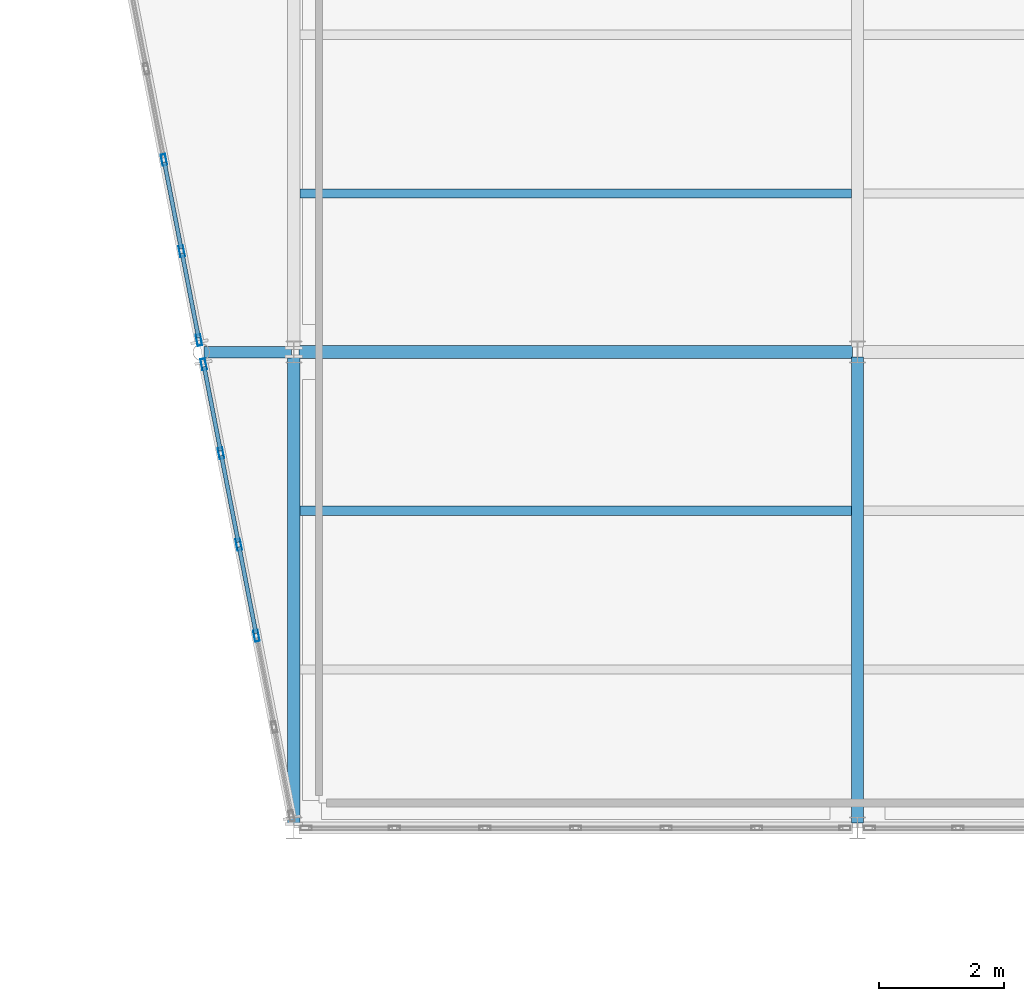
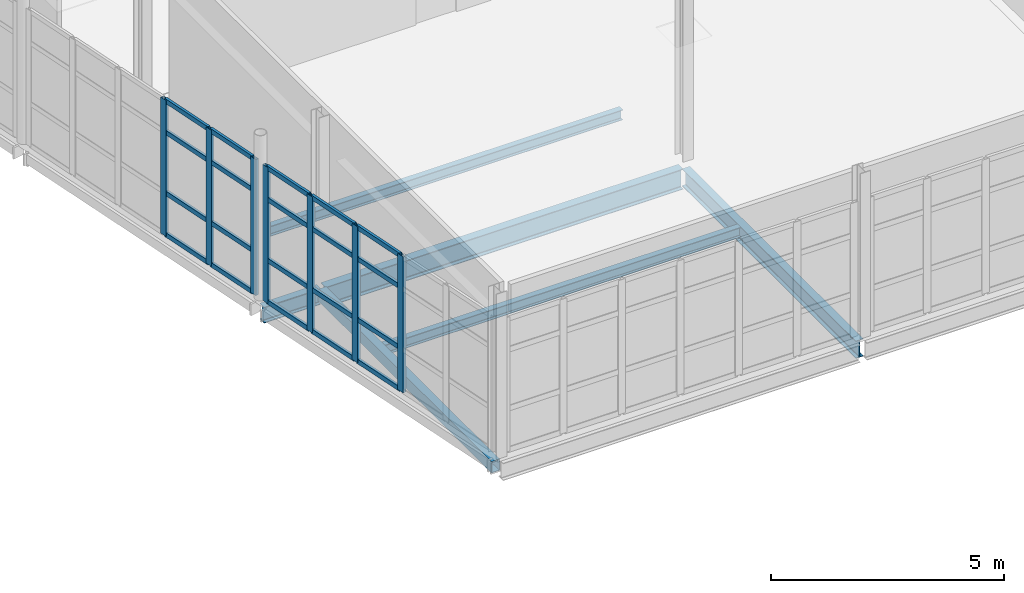
# One storey, part 89 of 174: 27 members, 6 beams, 2 elements without a shape of their own.
"""IFC4 building model written with IfcOpenShell, lengths in metres."""

from ifc_helpers import new_model, si_unit, direction, frame, origin, origin_2d, place, context, subcontext, project, spatial, hollow_rectangle, i_section, extrude, material, material_profile, profile_set, type_object, element, aggregate, save


model = new_model("IFC4")

# Units and contexts
model_context = context("Model", 3, precision=1e-05, world=origin(), true_north=direction((0.0, 1.0)))
body_context = subcontext(model_context, "Body", "Model", "MODEL_VIEW")
ifc_project = project(units=[si_unit("LENGTHUNIT", "METRE"), si_unit("AREAUNIT", "SQUARE_METRE"), si_unit("VOLUMEUNIT", "CUBIC_METRE"), si_unit("PLANEANGLEUNIT", "RADIAN"), si_unit("MASSUNIT", "GRAM", prefix="KILO")], contexts=[model_context])

# Site, building, storey
site_placement = place(None, origin())
site = spatial("IfcSite", under=ifc_project, at=site_placement, CompositionType="ELEMENT")
building_placement = place(site_placement, origin())
building = spatial("IfcBuilding", under=site, at=building_placement, Name="Caisbarro Railhouse Central Library", CompositionType="ELEMENT")
storey_placement = place(building_placement, frame((0.0, 0.0, 5.0400390625)))
storey = spatial("IfcBuildingStorey", under=building, at=storey_placement, Name="L01", CompositionType="ELEMENT", Elevation=5.0400390625)

# Beams
ifc_material_1 = material(Name="Steel ASTM A572 Grade 50", Category="steel")
ifc_material_profile_1 = material_profile(ifc_material_1, i_section(OverallWidth=0.208984375, OverallDepth=0.532958984375, WebThickness=0.01025390625, FlangeThickness=0.015625, FilletRadius=0.02001953125, at=origin_2d()), Name="W530X92.0")
ifc_profile_set_1 = profile_set([ifc_material_profile_1], Name="Steel ASTM A572 Grade 50")
beam_type_1 = type_object("IfcBeamType", Name="BM-G06", PredefinedType="BEAM", material=ifc_profile_set_1)
beam_1_placement = place(storey_placement, frame((117.080078125, 68.39990234375, -0.486572265625), z_axis=(1.0, 0.0, 0.0), x_axis=(0.0, 1.0, 0.0)))
element("IfcBeam", 1, at=beam_1_placement, inside=storey, type_object=beam_type_1, Name="G06 beam L01 #905", PredefinedType="BEAM", context=body_context, shape_type="SweptSolid", body=[
    extrude(i_section(OverallWidth=0.208984375, OverallDepth=0.532958984375, WebThickness=0.01025390625, FlangeThickness=0.015625, FilletRadius=0.02001953125, at=origin_2d()), origin(), (0.0, 0.0, 1.0), 8.83984375),
])
ifc_material_profile_2 = material_profile(ifc_material_1, i_section(OverallWidth=0.18994140625, OverallDepth=0.45703125, WebThickness=0.009033203125, FlangeThickness=0.014404296875, FilletRadius=0.01806640625, at=origin_2d()), Name="W460X74.0")
ifc_profile_set_2 = profile_set([ifc_material_profile_2], Name="Steel ASTM A572 Grade 50")
beam_type_2 = type_object("IfcBeamType", Name="BM-G08", PredefinedType="BEAM", material=ifc_profile_set_2)
beam_2_placement = place(storey_placement, frame((126.0, 60.8798828125, -0.448486328125), z_axis=(0.0, 1.0, 0.0), x_axis=(-1.0, 0.0, 0.0)))
element("IfcBeam", 2, at=beam_2_placement, inside=storey, type_object=beam_type_2, Name="G08 beam L01 #938", PredefinedType="BEAM", context=body_context, shape_type="SweptSolid", body=[
    extrude(i_section(OverallWidth=0.18994140625, OverallDepth=0.45703125, WebThickness=0.009033203125, FlangeThickness=0.014404296875, FilletRadius=0.01806640625, at=origin_2d()), origin(), (0.0, 0.0, 1.0), 7.440185546875),
])
ifc_material_profile_3 = material_profile(ifc_material_1, i_section(OverallWidth=0.180908203125, OverallDepth=0.4169921875, WebThickness=0.010986328125, FlangeThickness=0.018310546875, FilletRadius=0.01611328125, at=origin_2d()), Name="W410X85.0")
ifc_profile_set_3 = profile_set([ifc_material_profile_3], Name="Steel ASTM A572 Grade 50")
beam_type_3 = type_object("IfcBeamType", Name="BM-G09", PredefinedType="BEAM", material=ifc_profile_set_3)
beam_3_placement = place(storey_placement, frame((115.56298828125, 68.39990234375, -0.428466796875), z_axis=(1.0, 0.0, 0.0), x_axis=(0.0, 1.0, 0.0)))
element("IfcBeam", 3, at=beam_3_placement, inside=storey, type_object=beam_type_3, Name="G09 beam L01 #1271", PredefinedType="BEAM", context=body_context, shape_type="SweptSolid", body=[
    extrude(i_section(OverallWidth=0.180908203125, OverallDepth=0.4169921875, WebThickness=0.010986328125, FlangeThickness=0.018310546875, FilletRadius=0.01611328125, at=origin_2d()), origin(), (0.0, 0.0, 1.0), 1.39697265625),
])
ifc_material_profile_4 = material_profile(ifc_material_1, i_section(OverallWidth=0.14794921875, OverallDepth=0.26611328125, WebThickness=0.007568359375, FlangeThickness=0.012939453125, FilletRadius=0.010009765625, at=origin_2d()), Name="W250X44.8")
ifc_profile_set_4 = profile_set([ifc_material_profile_4], Name="Steel ASTM A572 Grade 50")
beam_type_4 = type_object("IfcBeamType", Name="BM-J04", PredefinedType="JOIST", material=ifc_profile_set_4)
for number, where, z_axis, x_axis, name in (
    (4, (117.10009765625, 65.86669921875, -0.35302734375), (1.0, 0.0, 0.0), (0.0, 1.0, 0.0), "J04 beam L01 #965"),
    (5, (117.10009765625, 70.933349609375, -0.35302734375), (1.0, 0.0, 0.0), (0.0, 1.0, 0.0), "J04 beam L01 #966"),
):
    element("IfcBeam", number, at=place(storey_placement, frame(where, z_axis=z_axis, x_axis=x_axis)), inside=storey, type_object=beam_type_4, Name=name, PredefinedType="JOIST", context=body_context, shape_type="SweptSolid", body=[
        extrude(i_section(OverallWidth=0.14794921875, OverallDepth=0.26611328125, WebThickness=0.007568359375, FlangeThickness=0.012939453125, FilletRadius=0.010009765625, at=origin_2d()), origin(), (0.0, 0.0, 1.0), 8.804931640625),
    ])
ifc_material_profile_5 = material_profile(ifc_material_1, hollow_rectangle(XDim=0.199951171875, YDim=0.300048828125, WallThickness=0.012451171875, at=origin_2d()), Name="HSS300X200X12.5")
ifc_profile_set_5 = profile_set([ifc_material_profile_5], Name="Steel ASTM A572 Grade 50")
beam_type_5 = type_object("IfcBeamType", Name="BM-SP02", PredefinedType="SPANDREL", material=ifc_profile_set_5)
beam_4_placement = place(storey_placement, frame((117.0, 60.8798828125, -0.3701171875), z_axis=(0.0, 1.0, 0.0), x_axis=(-1.0, 0.0, 0.0)))
element("IfcBeam", 6, at=beam_4_placement, inside=storey, type_object=beam_type_5, Name="SP02 beam L01 #931", PredefinedType="SPANDREL", context=body_context, shape_type="SweptSolid", body=[
    extrude(hollow_rectangle(XDim=0.199951171875, YDim=0.300048828125, WallThickness=0.012451171875, at=origin_2d()), origin(), (0.0, 0.0, 1.0), 7.440185546875),
])

# Curtain wall, members
ifc_material_2 = material(Name="Anodised architectural aluminium", Category="aluminium")
curtain_wall_type = type_object("IfcCurtainWallType", Name="CW-CW02", PredefinedType="NOTDEFINED", material=ifc_material_2)
curtain_wall_1_placement = place(storey_placement, origin())
curtain_wall_1 = element("IfcCurtainWall", 7, at=curtain_wall_1_placement, inside=storey, type_object=curtain_wall_type, Name="CW02 curtain wall L01 #110", PredefinedType="NOTDEFINED")
ifc_material_profile_6 = material_profile(ifc_material_2, hollow_rectangle(XDim=0.074951171875, YDim=0.179931640625, WallThickness=0.00439453125, at=origin_2d()), Name="ALU-MUL-75X180")
ifc_profile_set_6 = profile_set([ifc_material_profile_6], Name="Anodised architectural aluminium")
member_type_1 = type_object("IfcMemberType", Name="CWM-M01", PredefinedType="MULLION", material=ifc_profile_set_6)
member_1_placement = place(storey_placement, frame((116.403076171875, 63.871337890625, 0.0), z_axis=(0.0, 0.0, 1.0), x_axis=(-0.981632635401, -0.190780945369, 0.0)))
member_1 = element("IfcMember", 8, at=member_1_placement, type_object=member_type_1, Name="CW02 mullion 3", PredefinedType="MULLION", context=body_context, shape_type="SweptSolid", body=[
    extrude(hollow_rectangle(XDim=0.074951171875, YDim=0.179931640625, WallThickness=0.00439453125, at=origin_2d()), origin(), (0.0, 0.0, 1.0), 3.56005859375),
])
member_2_placement = place(storey_placement, frame((116.119873046875, 65.32861328125, 0.0), z_axis=(0.0, 0.0, 1.0), x_axis=(-0.981632635401, -0.190780945369, 0.0)))
member_2 = element("IfcMember", 9, at=member_2_placement, type_object=member_type_1, Name="CW02 mullion 4", PredefinedType="MULLION", context=body_context, shape_type="SweptSolid", body=[
    extrude(hollow_rectangle(XDim=0.074951171875, YDim=0.179931640625, WallThickness=0.00439453125, at=origin_2d()), origin(), (0.0, 0.0, 1.0), 3.56005859375),
])
member_3_placement = place(storey_placement, frame((115.836669921875, 66.78564453125, 0.0), z_axis=(0.0, 0.0, 1.0), x_axis=(-0.981632635401, -0.190780945369, 0.0)))
member_3 = element("IfcMember", 10, at=member_3_placement, type_object=member_type_1, Name="CW02 mullion 5", PredefinedType="MULLION", context=body_context, shape_type="SweptSolid", body=[
    extrude(hollow_rectangle(XDim=0.074951171875, YDim=0.179931640625, WallThickness=0.00439453125, at=origin_2d()), origin(), (0.0, 0.0, 1.0), 3.56005859375),
])
member_4_placement = place(storey_placement, frame((115.560546875, 68.2060546875, 0.0), z_axis=(0.0, 0.0, 1.0), x_axis=(-0.981632635401, -0.190780945369, 0.0)))
member_4 = element("IfcMember", 11, at=member_4_placement, type_object=member_type_1, Name="CW02 mullion 6", PredefinedType="MULLION", context=body_context, shape_type="SweptSolid", body=[
    extrude(hollow_rectangle(XDim=0.074951171875, YDim=0.179931640625, WallThickness=0.00439453125, at=origin_2d()), origin(), (0.0, 0.0, 1.0), 3.56005859375),
])

curtain_wall_2_placement = place(storey_placement, origin())
curtain_wall_2 = element("IfcCurtainWall", 12, at=curtain_wall_2_placement, inside=storey, type_object=curtain_wall_type, Name="CW02 curtain wall L01 #111", PredefinedType="NOTDEFINED")
member_5_placement = place(storey_placement, frame((115.4853515625, 68.593994140625, 0.0), z_axis=(0.0, 0.0, 1.0), x_axis=(-0.98160739523, -0.190910768765, 0.0)))
member_5 = element("IfcMember", 13, at=member_5_placement, type_object=member_type_1, Name="CW02 mullion 1", PredefinedType="MULLION", context=body_context, shape_type="SweptSolid", body=[
    extrude(hollow_rectangle(XDim=0.074951171875, YDim=0.179931640625, WallThickness=0.00439453125, at=origin_2d()), origin(), (0.0, 0.0, 1.0), 3.56005859375),
])
member_6_placement = place(storey_placement, frame((115.208984375, 70.01416015625, 0.0), z_axis=(0.0, 0.0, 1.0), x_axis=(-0.98160739523, -0.190910768765, 0.0)))
member_6 = element("IfcMember", 14, at=member_6_placement, type_object=member_type_1, Name="CW02 mullion 2", PredefinedType="MULLION", context=body_context, shape_type="SweptSolid", body=[
    extrude(hollow_rectangle(XDim=0.074951171875, YDim=0.179931640625, WallThickness=0.00439453125, at=origin_2d()), origin(), (0.0, 0.0, 1.0), 3.56005859375),
])
member_7_placement = place(storey_placement, frame((114.92578125, 71.471435546875, 0.0), z_axis=(0.0, 0.0, 1.0), x_axis=(-0.98160739523, -0.190910768765, 0.0)))
member_7 = element("IfcMember", 15, at=member_7_placement, type_object=member_type_1, Name="CW02 mullion 3", PredefinedType="MULLION", context=body_context, shape_type="SweptSolid", body=[
    extrude(hollow_rectangle(XDim=0.074951171875, YDim=0.179931640625, WallThickness=0.00439453125, at=origin_2d()), origin(), (0.0, 0.0, 1.0), 3.56005859375),
])

# Member
ifc_material_profile_7 = material_profile(ifc_material_2, hollow_rectangle(XDim=0.06494140625, YDim=0.1201171875, WallThickness=0.00341796875, at=origin_2d()), Name="ALU-TRN-65X120")
ifc_profile_set_7 = profile_set([ifc_material_profile_7], Name="Anodised architectural aluminium")
member_type_2 = type_object("IfcMemberType", Name="CWT-T02", PredefinedType="USERDEFINED", material=ifc_profile_set_7)
member_8_placement = place(storey_placement, frame((116.39599609375, 63.908203125, 0.032470703125), z_axis=(-0.190883567843, 0.981612685089, 0.0), x_axis=(-0.981612685089, -0.190883567843, 0.0)))
member_8 = element("IfcMember", 16, at=member_8_placement, type_object=member_type_2, Name="CW02 transom 3.1", ObjectType="TRANSOM", PredefinedType="USERDEFINED", context=body_context, shape_type="SweptSolid", body=[
    extrude(hollow_rectangle(XDim=0.06494140625, YDim=0.1201171875, WallThickness=0.00341796875, at=origin_2d()), origin(), (0.0, 0.0, 1.0), 1.409423828125),
])

member_9_placement = place(storey_placement, frame((116.39599609375, 63.908203125, 1.119873046875), z_axis=(-0.190883567843, 0.981612685089, 0.0), x_axis=(-0.981612685089, -0.190883567843, 0.0)))
member_9 = element("IfcMember", 17, at=member_9_placement, type_object=member_type_2, Name="CW02 transom 3.2", ObjectType="TRANSOM", PredefinedType="USERDEFINED", context=body_context, shape_type="SweptSolid", body=[
    extrude(hollow_rectangle(XDim=0.06494140625, YDim=0.1201171875, WallThickness=0.00341796875, at=origin_2d()), origin(), (0.0, 0.0, 1.0), 1.409423828125),
])

member_10_placement = place(storey_placement, frame((116.39599609375, 63.908203125, 2.7099609375), z_axis=(-0.190883567843, 0.981612685089, 0.0), x_axis=(-0.981612685089, -0.190883567843, 0.0)))
member_10 = element("IfcMember", 18, at=member_10_placement, type_object=member_type_2, Name="CW02 transom 3.3", ObjectType="TRANSOM", PredefinedType="USERDEFINED", context=body_context, shape_type="SweptSolid", body=[
    extrude(hollow_rectangle(XDim=0.06494140625, YDim=0.1201171875, WallThickness=0.00341796875, at=origin_2d()), origin(), (0.0, 0.0, 1.0), 1.409423828125),
])

member_11_placement = place(storey_placement, frame((116.39599609375, 63.908203125, 3.52734375), z_axis=(-0.190883567843, 0.981612685089, 0.0), x_axis=(-0.981612685089, -0.190883567843, 0.0)))
member_11 = element("IfcMember", 19, at=member_11_placement, type_object=member_type_2, Name="CW02 transom 3.4", ObjectType="TRANSOM", PredefinedType="USERDEFINED", context=body_context, shape_type="SweptSolid", body=[
    extrude(hollow_rectangle(XDim=0.06494140625, YDim=0.1201171875, WallThickness=0.00341796875, at=origin_2d()), origin(), (0.0, 0.0, 1.0), 1.409423828125),
])

member_12_placement = place(storey_placement, frame((116.11279296875, 65.365478515625, 0.032470703125), z_axis=(-0.190883567843, 0.981612685089, 0.0), x_axis=(-0.981612685089, -0.190883567843, 0.0)))
member_12 = element("IfcMember", 20, at=member_12_placement, type_object=member_type_2, Name="CW02 transom 4.1", ObjectType="TRANSOM", PredefinedType="USERDEFINED", context=body_context, shape_type="SweptSolid", body=[
    extrude(hollow_rectangle(XDim=0.06494140625, YDim=0.1201171875, WallThickness=0.00341796875, at=origin_2d()), origin(), (0.0, 0.0, 1.0), 1.409423828125),
])

member_13_placement = place(storey_placement, frame((116.11279296875, 65.365478515625, 1.119873046875), z_axis=(-0.190883567843, 0.981612685089, 0.0), x_axis=(-0.981612685089, -0.190883567843, 0.0)))
member_13 = element("IfcMember", 21, at=member_13_placement, type_object=member_type_2, Name="CW02 transom 4.2", ObjectType="TRANSOM", PredefinedType="USERDEFINED", context=body_context, shape_type="SweptSolid", body=[
    extrude(hollow_rectangle(XDim=0.06494140625, YDim=0.1201171875, WallThickness=0.00341796875, at=origin_2d()), origin(), (0.0, 0.0, 1.0), 1.409423828125),
])

member_14_placement = place(storey_placement, frame((116.11279296875, 65.365478515625, 2.7099609375), z_axis=(-0.190883567843, 0.981612685089, 0.0), x_axis=(-0.981612685089, -0.190883567843, 0.0)))
member_14 = element("IfcMember", 22, at=member_14_placement, type_object=member_type_2, Name="CW02 transom 4.3", ObjectType="TRANSOM", PredefinedType="USERDEFINED", context=body_context, shape_type="SweptSolid", body=[
    extrude(hollow_rectangle(XDim=0.06494140625, YDim=0.1201171875, WallThickness=0.00341796875, at=origin_2d()), origin(), (0.0, 0.0, 1.0), 1.409423828125),
])

member_15_placement = place(storey_placement, frame((116.11279296875, 65.365478515625, 3.52734375), z_axis=(-0.190883567843, 0.981612685089, 0.0), x_axis=(-0.981612685089, -0.190883567843, 0.0)))
member_15 = element("IfcMember", 23, at=member_15_placement, type_object=member_type_2, Name="CW02 transom 4.4", ObjectType="TRANSOM", PredefinedType="USERDEFINED", context=body_context, shape_type="SweptSolid", body=[
    extrude(hollow_rectangle(XDim=0.06494140625, YDim=0.1201171875, WallThickness=0.00341796875, at=origin_2d()), origin(), (0.0, 0.0, 1.0), 1.409423828125),
])

member_16_placement = place(storey_placement, frame((115.82958984375, 66.822509765625, 0.032470703125), z_axis=(-0.190774392735, 0.981633908887, 0.0), x_axis=(-0.981633908887, -0.190774392735, 0.0)))
member_16 = element("IfcMember", 24, at=member_16_placement, type_object=member_type_2, Name="CW02 transom 5.1", ObjectType="TRANSOM", PredefinedType="USERDEFINED", context=body_context, shape_type="SweptSolid", body=[
    extrude(hollow_rectangle(XDim=0.06494140625, YDim=0.1201171875, WallThickness=0.00341796875, at=origin_2d()), origin(), (0.0, 0.0, 1.0), 1.371826171875),
])

member_17_placement = place(storey_placement, frame((115.82958984375, 66.822509765625, 1.119873046875), z_axis=(-0.190774392735, 0.981633908887, 0.0), x_axis=(-0.981633908887, -0.190774392735, 0.0)))
member_17 = element("IfcMember", 25, at=member_17_placement, type_object=member_type_2, Name="CW02 transom 5.2", ObjectType="TRANSOM", PredefinedType="USERDEFINED", context=body_context, shape_type="SweptSolid", body=[
    extrude(hollow_rectangle(XDim=0.06494140625, YDim=0.1201171875, WallThickness=0.00341796875, at=origin_2d()), origin(), (0.0, 0.0, 1.0), 1.371826171875),
])

member_18_placement = place(storey_placement, frame((115.82958984375, 66.822509765625, 2.7099609375), z_axis=(-0.190774392735, 0.981633908887, 0.0), x_axis=(-0.981633908887, -0.190774392735, 0.0)))
member_18 = element("IfcMember", 26, at=member_18_placement, type_object=member_type_2, Name="CW02 transom 5.3", ObjectType="TRANSOM", PredefinedType="USERDEFINED", context=body_context, shape_type="SweptSolid", body=[
    extrude(hollow_rectangle(XDim=0.06494140625, YDim=0.1201171875, WallThickness=0.00341796875, at=origin_2d()), origin(), (0.0, 0.0, 1.0), 1.371826171875),
])

member_19_placement = place(storey_placement, frame((115.82958984375, 66.822509765625, 3.52734375), z_axis=(-0.190774392735, 0.981633908887, 0.0), x_axis=(-0.981633908887, -0.190774392735, 0.0)))
member_19 = element("IfcMember", 27, at=member_19_placement, type_object=member_type_2, Name="CW02 transom 5.4", ObjectType="TRANSOM", PredefinedType="USERDEFINED", context=body_context, shape_type="SweptSolid", body=[
    extrude(hollow_rectangle(XDim=0.06494140625, YDim=0.1201171875, WallThickness=0.00341796875, at=origin_2d()), origin(), (0.0, 0.0, 1.0), 1.371826171875),
])

aggregate(curtain_wall_1, [member_1, member_2, member_3, member_4, member_8, member_9, member_10, member_11, member_12, member_13, member_14, member_15, member_16, member_17, member_18, member_19])

member_20_placement = place(storey_placement, frame((115.478271484375, 68.630615234375, 0.032470703125), z_axis=(-0.190912519438, 0.981607054743, 0.0), x_axis=(-0.981607054743, -0.190912519438, 0.0)))
member_20 = element("IfcMember", 28, at=member_20_placement, type_object=member_type_2, Name="CW02 transom 1.1", ObjectType="TRANSOM", PredefinedType="USERDEFINED", context=body_context, shape_type="SweptSolid", body=[
    extrude(hollow_rectangle(XDim=0.06494140625, YDim=0.1201171875, WallThickness=0.00341796875, at=origin_2d()), origin(), (0.0, 0.0, 1.0), 1.3720703125),
])

member_21_placement = place(storey_placement, frame((115.478271484375, 68.630615234375, 1.119873046875), z_axis=(-0.190912519438, 0.981607054743, 0.0), x_axis=(-0.981607054743, -0.190912519438, 0.0)))
member_21 = element("IfcMember", 29, at=member_21_placement, type_object=member_type_2, Name="CW02 transom 1.2", ObjectType="TRANSOM", PredefinedType="USERDEFINED", context=body_context, shape_type="SweptSolid", body=[
    extrude(hollow_rectangle(XDim=0.06494140625, YDim=0.1201171875, WallThickness=0.00341796875, at=origin_2d()), origin(), (0.0, 0.0, 1.0), 1.3720703125),
])

member_22_placement = place(storey_placement, frame((115.478271484375, 68.630615234375, 2.7099609375), z_axis=(-0.190912519438, 0.981607054743, 0.0), x_axis=(-0.981607054743, -0.190912519438, 0.0)))
member_22 = element("IfcMember", 30, at=member_22_placement, type_object=member_type_2, Name="CW02 transom 1.3", ObjectType="TRANSOM", PredefinedType="USERDEFINED", context=body_context, shape_type="SweptSolid", body=[
    extrude(hollow_rectangle(XDim=0.06494140625, YDim=0.1201171875, WallThickness=0.00341796875, at=origin_2d()), origin(), (0.0, 0.0, 1.0), 1.3720703125),
])

member_23_placement = place(storey_placement, frame((115.478271484375, 68.630615234375, 3.52734375), z_axis=(-0.190912519438, 0.981607054743, 0.0), x_axis=(-0.981607054743, -0.190912519438, 0.0)))
member_23 = element("IfcMember", 31, at=member_23_placement, type_object=member_type_2, Name="CW02 transom 1.4", ObjectType="TRANSOM", PredefinedType="USERDEFINED", context=body_context, shape_type="SweptSolid", body=[
    extrude(hollow_rectangle(XDim=0.06494140625, YDim=0.1201171875, WallThickness=0.00341796875, at=origin_2d()), origin(), (0.0, 0.0, 1.0), 1.3720703125),
])

member_24_placement = place(storey_placement, frame((115.201904296875, 70.051025390625, 0.032470703125), z_axis=(-0.190883567843, 0.981612685089, 0.0), x_axis=(-0.981612685089, -0.190883567843, 0.0)))
member_24 = element("IfcMember", 32, at=member_24_placement, type_object=member_type_2, Name="CW02 transom 2.1", ObjectType="TRANSOM", PredefinedType="USERDEFINED", context=body_context, shape_type="SweptSolid", body=[
    extrude(hollow_rectangle(XDim=0.06494140625, YDim=0.1201171875, WallThickness=0.00341796875, at=origin_2d()), origin(), (0.0, 0.0, 1.0), 1.409423828125),
])

member_25_placement = place(storey_placement, frame((115.201904296875, 70.051025390625, 1.119873046875), z_axis=(-0.190883567843, 0.981612685089, 0.0), x_axis=(-0.981612685089, -0.190883567843, 0.0)))
member_25 = element("IfcMember", 33, at=member_25_placement, type_object=member_type_2, Name="CW02 transom 2.2", ObjectType="TRANSOM", PredefinedType="USERDEFINED", context=body_context, shape_type="SweptSolid", body=[
    extrude(hollow_rectangle(XDim=0.06494140625, YDim=0.1201171875, WallThickness=0.00341796875, at=origin_2d()), origin(), (0.0, 0.0, 1.0), 1.409423828125),
])

member_26_placement = place(storey_placement, frame((115.201904296875, 70.051025390625, 2.7099609375), z_axis=(-0.190883567843, 0.981612685089, 0.0), x_axis=(-0.981612685089, -0.190883567843, 0.0)))
member_26 = element("IfcMember", 34, at=member_26_placement, type_object=member_type_2, Name="CW02 transom 2.3", ObjectType="TRANSOM", PredefinedType="USERDEFINED", context=body_context, shape_type="SweptSolid", body=[
    extrude(hollow_rectangle(XDim=0.06494140625, YDim=0.1201171875, WallThickness=0.00341796875, at=origin_2d()), origin(), (0.0, 0.0, 1.0), 1.409423828125),
])

member_27_placement = place(storey_placement, frame((115.201904296875, 70.051025390625, 3.52734375), z_axis=(-0.190883567843, 0.981612685089, 0.0), x_axis=(-0.981612685089, -0.190883567843, 0.0)))
member_27 = element("IfcMember", 35, at=member_27_placement, type_object=member_type_2, Name="CW02 transom 2.4", ObjectType="TRANSOM", PredefinedType="USERDEFINED", context=body_context, shape_type="SweptSolid", body=[
    extrude(hollow_rectangle(XDim=0.06494140625, YDim=0.1201171875, WallThickness=0.00341796875, at=origin_2d()), origin(), (0.0, 0.0, 1.0), 1.409423828125),
])

aggregate(curtain_wall_2, [member_5, member_6, member_7, member_20, member_21, member_22, member_23, member_24, member_25, member_26, member_27])

save(model, "model.ifc")
